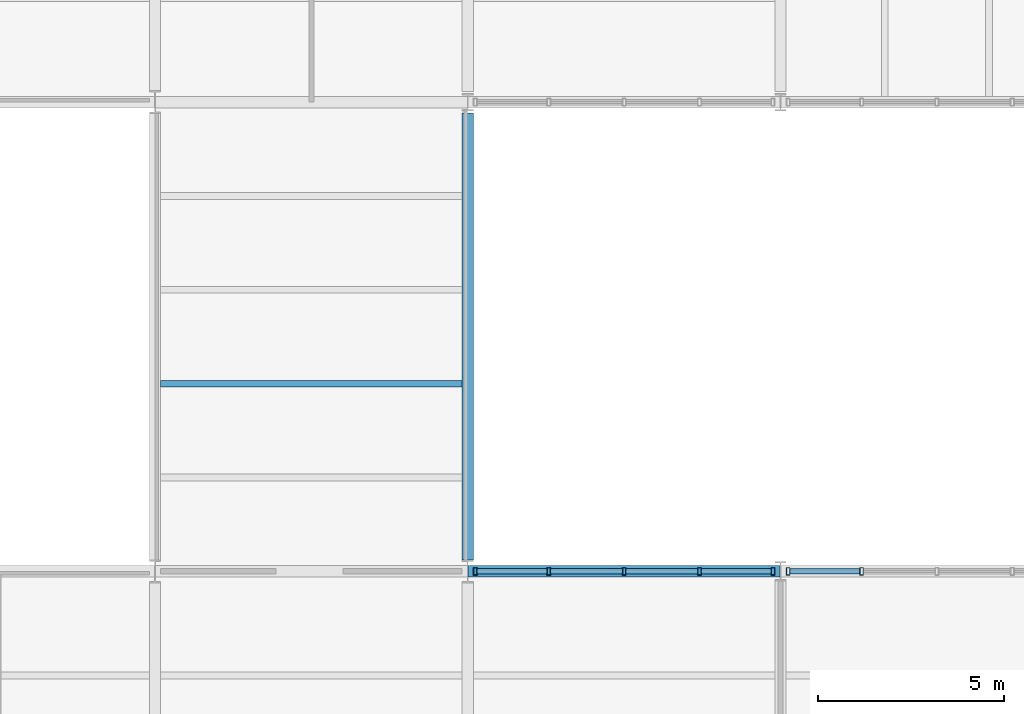
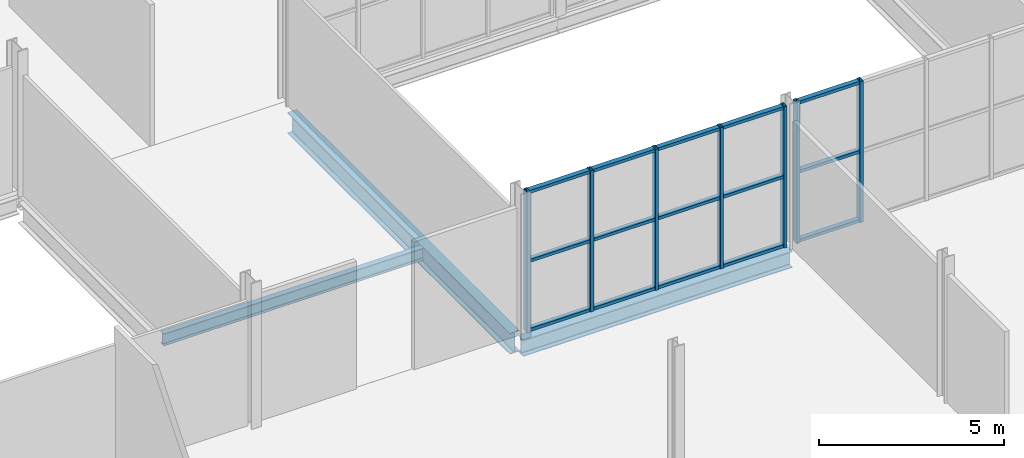
# One storey, part 18 of 52: 22 members, 3 beams, 2 elements without a shape of their own.
"""IFC4 building model written with IfcOpenShell, lengths in metres."""

from ifc_helpers import new_model, si_unit, direction, frame, origin, origin_2d, place, context, subcontext, project, spatial, hollow_rectangle, i_section, extrude, material, layer, layer_set, material_profile, profile_set, type_object, element, aggregate, save


model = new_model("IFC4")

# Units and contexts
model_context = context("Model", 3, precision=1e-05, world=origin(), true_north=direction((0.0, 1.0)))
body_context = subcontext(model_context, "Body", "Model", "MODEL_VIEW")
ifc_project = project(units=[si_unit("LENGTHUNIT", "METRE"), si_unit("AREAUNIT", "SQUARE_METRE"), si_unit("VOLUMEUNIT", "CUBIC_METRE"), si_unit("PLANEANGLEUNIT", "RADIAN"), si_unit("MASSUNIT", "GRAM", prefix="KILO")], contexts=[model_context])

# Site, building, storey
site_placement = place(None, origin())
site = spatial("IfcSite", under=ifc_project, at=site_placement, CompositionType="ELEMENT")
building_placement = place(site_placement, origin())
building = spatial("IfcBuilding", under=site, at=building_placement, Name="Galleria Vessillo Department Store", CompositionType="ELEMENT")
storey_placement = place(building_placement, frame((0.0, 0.0, 16.199951171875)))
storey = spatial("IfcBuildingStorey", under=building, at=storey_placement, Name="L03", CompositionType="ELEMENT", Elevation=16.199951171875)

# Beams
ifc_material_1 = material(Name="Steel S355 J2", Category="steel")
ifc_material_profile_1 = material_profile(ifc_material_1, i_section(OverallWidth=0.300048828125, OverallDepth=0.68994140625, WebThickness=0.014404296875, FlangeThickness=0.027099609375, FilletRadius=0.027099609375, at=origin_2d()), Name="HEA 700")
ifc_profile_set_1 = profile_set([ifc_material_profile_1], Name="Steel S355 J2")
beam_type_1 = type_object("IfcBeamType", Name="Bridge girder HEA 700", PredefinedType="BEAM", material=ifc_profile_set_1)
beam_1_placement = place(storey_placement, frame((84.0, 25.51025390625, -0.494873046875), z_axis=(0.0, 1.0, 0.0), x_axis=(-1.0, 0.0, 0.0)))
element("IfcBeam", 1, at=beam_1_placement, inside=storey, type_object=beam_type_1, Name="S-BM-L03-BR-y84000-25510", PredefinedType="BEAM", context=body_context, shape_type="SweptSolid", body=[
    extrude(i_section(OverallWidth=0.300048828125, OverallDepth=0.68994140625, WebThickness=0.014404296875, FlangeThickness=0.027099609375, FilletRadius=0.027099609375, at=origin_2d()), origin(), (0.0, 0.0, 1.0), 12.003662109375),
])
ifc_material_2 = material(Name="Steel S355 J2", Category="steel")
ifc_material_profile_2 = material_profile(ifc_material_2, i_section(OverallWidth=0.179931640625, OverallDepth=0.39990234375, WebThickness=0.008544921875, FlangeThickness=0.013427734375, FilletRadius=0.02099609375, at=origin_2d()), Name="IPE 400")
ifc_profile_set_2 = profile_set([ifc_material_profile_2], Name="Steel S355 J2")
beam_type_2 = type_object("IfcBeamType", Name="Floor joist IPE 400", PredefinedType="JOIST", material=ifc_profile_set_2)
beam_2_placement = place(storey_placement, frame((75.750244140625, 30.239990234375, -0.349853515625), z_axis=(1.0, 0.0, 0.0), x_axis=(0.0, 1.0, 0.0)))
element("IfcBeam", 2, at=beam_2_placement, inside=storey, type_object=beam_type_2, Name="S-BM-L03-JO-x30240-75750", PredefinedType="JOIST", context=body_context, shape_type="SweptSolid", body=[
    extrude(i_section(OverallWidth=0.179931640625, OverallDepth=0.39990234375, WebThickness=0.008544921875, FlangeThickness=0.013427734375, FilletRadius=0.02099609375, at=origin_2d()), origin(), (0.0, 0.0, 1.0), 8.099609375),
])

# Curtain wall, members
ifc_material_3 = material(Name="Steel and fire-resisting glass curtain wall", Category="steel")
ifc_layer = layer(ifc_material_3, 0.199951171875)
ifc_layer_set = layer_set([ifc_layer], Name="Steel and fire-resisting glass curtain wall")
curtain_wall_type = type_object("IfcCurtainWallType", Name="Arcade fire-resisting glazed shopfront EI 120-Sa", PredefinedType="NOTDEFINED", material=ifc_layer_set)
curtain_wall_1_placement = place(storey_placement, origin())
curtain_wall_1 = element("IfcCurtainWall", 3, at=curtain_wall_1_placement, inside=storey, type_object=curtain_wall_type, Name="Arcade fire-resisting glazed shopfront EI 120-Sa AI-AE-S-L03-01", PredefinedType="NOTDEFINED")
ifc_material_4 = material(Name="Steel S355 J2", Category="steel")
ifc_material_profile_3 = material_profile(ifc_material_4, hollow_rectangle(XDim=0.199951171875, YDim=0.10009765625, WallThickness=0.008056640625, at=origin_2d()), Name="RHS 200x100x8")
ifc_profile_set_3 = profile_set([ifc_material_profile_3], Name="Steel S355 J2")
member_type_1 = type_object("IfcMemberType", Name="Steel mullion RHS 200x100x8", PredefinedType="MULLION", material=ifc_profile_set_3)
member_1_placement = place(storey_placement, frame((84.20263671875, 25.199951171875, 0.0), z_axis=(0.0, 0.0, 1.0), x_axis=(0.0, 1.0, 0.0)))
member_1 = element("IfcMember", 4, at=member_1_placement, type_object=member_type_1, Name="CW7 mullion 1", PredefinedType="MULLION", context=body_context, shape_type="SweptSolid", body=[
    extrude(hollow_rectangle(XDim=0.199951171875, YDim=0.10009765625, WallThickness=0.008056640625, at=origin_2d()), origin(), (0.0, 0.0, 1.0), 4.650146484375),
])
member_2_placement = place(storey_placement, frame((86.17626953125, 25.199951171875, 0.0), z_axis=(0.0, 0.0, 1.0), x_axis=(0.0, 1.0, 0.0)))
member_2 = element("IfcMember", 5, at=member_2_placement, type_object=member_type_1, Name="CW7 mullion 2", PredefinedType="MULLION", context=body_context, shape_type="SweptSolid", body=[
    extrude(hollow_rectangle(XDim=0.199951171875, YDim=0.10009765625, WallThickness=0.008056640625, at=origin_2d()), origin(), (0.0, 0.0, 1.0), 4.650146484375),
])
member_3_placement = place(storey_placement, frame((88.19970703125, 25.199951171875, 0.0), z_axis=(0.0, 0.0, 1.0), x_axis=(0.0, 1.0, 0.0)))
member_3 = element("IfcMember", 6, at=member_3_placement, type_object=member_type_1, Name="CW7 mullion 3", PredefinedType="MULLION", context=body_context, shape_type="SweptSolid", body=[
    extrude(hollow_rectangle(XDim=0.199951171875, YDim=0.10009765625, WallThickness=0.008056640625, at=origin_2d()), origin(), (0.0, 0.0, 1.0), 4.650146484375),
])
member_4_placement = place(storey_placement, frame((90.223388671875, 25.199951171875, 0.0), z_axis=(0.0, 0.0, 1.0), x_axis=(0.0, 1.0, 0.0)))
member_4 = element("IfcMember", 7, at=member_4_placement, type_object=member_type_1, Name="CW7 mullion 4", PredefinedType="MULLION", context=body_context, shape_type="SweptSolid", body=[
    extrude(hollow_rectangle(XDim=0.199951171875, YDim=0.10009765625, WallThickness=0.008056640625, at=origin_2d()), origin(), (0.0, 0.0, 1.0), 4.650146484375),
])
member_5_placement = place(storey_placement, frame((92.19677734375, 25.199951171875, 0.0), z_axis=(0.0, 0.0, 1.0), x_axis=(0.0, 1.0, 0.0)))
member_5 = element("IfcMember", 8, at=member_5_placement, type_object=member_type_1, Name="CW7 mullion 5", PredefinedType="MULLION", context=body_context, shape_type="SweptSolid", body=[
    extrude(hollow_rectangle(XDim=0.199951171875, YDim=0.10009765625, WallThickness=0.008056640625, at=origin_2d()), origin(), (0.0, 0.0, 1.0), 4.650146484375),
])

curtain_wall_2_placement = place(storey_placement, origin())
curtain_wall_2 = element("IfcCurtainWall", 9, at=curtain_wall_2_placement, inside=storey, type_object=curtain_wall_type, Name="Arcade fire-resisting glazed shopfront EI 120-Sa AI-AE-S-L03-02", PredefinedType="NOTDEFINED")
member_6_placement = place(storey_placement, frame((92.60302734375, 25.199951171875, 0.0), z_axis=(0.0, 0.0, 1.0), x_axis=(0.0, 1.0, 0.0)))
member_6 = element("IfcMember", 10, at=member_6_placement, type_object=member_type_1, Name="CW7 mullion 1", PredefinedType="MULLION", context=body_context, shape_type="SweptSolid", body=[
    extrude(hollow_rectangle(XDim=0.199951171875, YDim=0.10009765625, WallThickness=0.008056640625, at=origin_2d()), origin(), (0.0, 0.0, 1.0), 4.650146484375),
])
member_7_placement = place(storey_placement, frame((94.57666015625, 25.199951171875, 0.0), z_axis=(0.0, 0.0, 1.0), x_axis=(0.0, 1.0, 0.0)))
member_7 = element("IfcMember", 11, at=member_7_placement, type_object=member_type_1, Name="CW7 mullion 2", PredefinedType="MULLION", context=body_context, shape_type="SweptSolid", body=[
    extrude(hollow_rectangle(XDim=0.199951171875, YDim=0.10009765625, WallThickness=0.008056640625, at=origin_2d()), origin(), (0.0, 0.0, 1.0), 4.650146484375),
])

# Member
ifc_material_5 = material(Name="Steel S355 J2", Category="steel")
ifc_material_profile_4 = material_profile(ifc_material_5, hollow_rectangle(XDim=0.14990234375, YDim=0.10009765625, WallThickness=0.008056640625, at=origin_2d()), Name="RHS 150x100x8")
ifc_profile_set_4 = profile_set([ifc_material_profile_4], Name="Steel S355 J2")
member_type_2 = type_object("IfcMemberType", Name="Steel transom RHS 150x100x8", PredefinedType="USERDEFINED", material=ifc_profile_set_4)
member_8_placement = place(storey_placement, frame((84.252685546875, 25.199951171875, 0.050048828125), z_axis=(1.0, 0.0, 0.0), x_axis=(0.0, 1.0, 0.0)))
member_8 = element("IfcMember", 12, at=member_8_placement, type_object=member_type_2, Name="CW7 transom 1.1", ObjectType="TRANSOM", PredefinedType="USERDEFINED", context=body_context, shape_type="SweptSolid", body=[
    extrude(hollow_rectangle(XDim=0.14990234375, YDim=0.10009765625, WallThickness=0.008056640625, at=origin_2d()), origin(), (0.0, 0.0, 1.0), 1.87353515625),
])

member_9_placement = place(storey_placement, frame((84.252685546875, 25.199951171875, 2.324951171875), z_axis=(1.0, 0.0, 0.0), x_axis=(0.0, 1.0, 0.0)))
member_9 = element("IfcMember", 13, at=member_9_placement, type_object=member_type_2, Name="CW7 transom 1.2", ObjectType="TRANSOM", PredefinedType="USERDEFINED", context=body_context, shape_type="SweptSolid", body=[
    extrude(hollow_rectangle(XDim=0.14990234375, YDim=0.10009765625, WallThickness=0.008056640625, at=origin_2d()), origin(), (0.0, 0.0, 1.0), 1.87353515625),
])

member_10_placement = place(storey_placement, frame((84.252685546875, 25.199951171875, 4.60009765625), z_axis=(1.0, 0.0, 0.0), x_axis=(0.0, 1.0, 0.0)))
member_10 = element("IfcMember", 14, at=member_10_placement, type_object=member_type_2, Name="CW7 transom 1.3", ObjectType="TRANSOM", PredefinedType="USERDEFINED", context=body_context, shape_type="SweptSolid", body=[
    extrude(hollow_rectangle(XDim=0.14990234375, YDim=0.10009765625, WallThickness=0.008056640625, at=origin_2d()), origin(), (0.0, 0.0, 1.0), 1.87353515625),
])

member_11_placement = place(storey_placement, frame((86.22607421875, 25.199951171875, 0.050048828125), z_axis=(1.0, 0.0, 0.0), x_axis=(0.0, 1.0, 0.0)))
member_11 = element("IfcMember", 15, at=member_11_placement, type_object=member_type_2, Name="CW7 transom 2.1", ObjectType="TRANSOM", PredefinedType="USERDEFINED", context=body_context, shape_type="SweptSolid", body=[
    extrude(hollow_rectangle(XDim=0.14990234375, YDim=0.10009765625, WallThickness=0.008056640625, at=origin_2d()), origin(), (0.0, 0.0, 1.0), 1.923583984375),
])

member_12_placement = place(storey_placement, frame((86.22607421875, 25.199951171875, 2.324951171875), z_axis=(1.0, 0.0, 0.0), x_axis=(0.0, 1.0, 0.0)))
member_12 = element("IfcMember", 16, at=member_12_placement, type_object=member_type_2, Name="CW7 transom 2.2", ObjectType="TRANSOM", PredefinedType="USERDEFINED", context=body_context, shape_type="SweptSolid", body=[
    extrude(hollow_rectangle(XDim=0.14990234375, YDim=0.10009765625, WallThickness=0.008056640625, at=origin_2d()), origin(), (0.0, 0.0, 1.0), 1.923583984375),
])

member_13_placement = place(storey_placement, frame((86.22607421875, 25.199951171875, 4.60009765625), z_axis=(1.0, 0.0, 0.0), x_axis=(0.0, 1.0, 0.0)))
member_13 = element("IfcMember", 17, at=member_13_placement, type_object=member_type_2, Name="CW7 transom 2.3", ObjectType="TRANSOM", PredefinedType="USERDEFINED", context=body_context, shape_type="SweptSolid", body=[
    extrude(hollow_rectangle(XDim=0.14990234375, YDim=0.10009765625, WallThickness=0.008056640625, at=origin_2d()), origin(), (0.0, 0.0, 1.0), 1.923583984375),
])

member_14_placement = place(storey_placement, frame((88.249755859375, 25.199951171875, 0.050048828125), z_axis=(1.0, 0.0, 0.0), x_axis=(0.0, 1.0, 0.0)))
member_14 = element("IfcMember", 18, at=member_14_placement, type_object=member_type_2, Name="CW7 transom 3.1", ObjectType="TRANSOM", PredefinedType="USERDEFINED", context=body_context, shape_type="SweptSolid", body=[
    extrude(hollow_rectangle(XDim=0.14990234375, YDim=0.10009765625, WallThickness=0.008056640625, at=origin_2d()), origin(), (0.0, 0.0, 1.0), 1.923583984375),
])

member_15_placement = place(storey_placement, frame((88.249755859375, 25.199951171875, 2.324951171875), z_axis=(1.0, 0.0, 0.0), x_axis=(0.0, 1.0, 0.0)))
member_15 = element("IfcMember", 19, at=member_15_placement, type_object=member_type_2, Name="CW7 transom 3.2", ObjectType="TRANSOM", PredefinedType="USERDEFINED", context=body_context, shape_type="SweptSolid", body=[
    extrude(hollow_rectangle(XDim=0.14990234375, YDim=0.10009765625, WallThickness=0.008056640625, at=origin_2d()), origin(), (0.0, 0.0, 1.0), 1.923583984375),
])

member_16_placement = place(storey_placement, frame((88.249755859375, 25.199951171875, 4.60009765625), z_axis=(1.0, 0.0, 0.0), x_axis=(0.0, 1.0, 0.0)))
member_16 = element("IfcMember", 20, at=member_16_placement, type_object=member_type_2, Name="CW7 transom 3.3", ObjectType="TRANSOM", PredefinedType="USERDEFINED", context=body_context, shape_type="SweptSolid", body=[
    extrude(hollow_rectangle(XDim=0.14990234375, YDim=0.10009765625, WallThickness=0.008056640625, at=origin_2d()), origin(), (0.0, 0.0, 1.0), 1.923583984375),
])

member_17_placement = place(storey_placement, frame((90.273193359375, 25.199951171875, 0.050048828125), z_axis=(1.0, 0.0, 0.0), x_axis=(0.0, 1.0, 0.0)))
member_17 = element("IfcMember", 21, at=member_17_placement, type_object=member_type_2, Name="CW7 transom 4.1", ObjectType="TRANSOM", PredefinedType="USERDEFINED", context=body_context, shape_type="SweptSolid", body=[
    extrude(hollow_rectangle(XDim=0.14990234375, YDim=0.10009765625, WallThickness=0.008056640625, at=origin_2d()), origin(), (0.0, 0.0, 1.0), 1.87353515625),
])

member_18_placement = place(storey_placement, frame((90.273193359375, 25.199951171875, 2.324951171875), z_axis=(1.0, 0.0, 0.0), x_axis=(0.0, 1.0, 0.0)))
member_18 = element("IfcMember", 22, at=member_18_placement, type_object=member_type_2, Name="CW7 transom 4.2", ObjectType="TRANSOM", PredefinedType="USERDEFINED", context=body_context, shape_type="SweptSolid", body=[
    extrude(hollow_rectangle(XDim=0.14990234375, YDim=0.10009765625, WallThickness=0.008056640625, at=origin_2d()), origin(), (0.0, 0.0, 1.0), 1.87353515625),
])

member_19_placement = place(storey_placement, frame((90.273193359375, 25.199951171875, 4.60009765625), z_axis=(1.0, 0.0, 0.0), x_axis=(0.0, 1.0, 0.0)))
member_19 = element("IfcMember", 23, at=member_19_placement, type_object=member_type_2, Name="CW7 transom 4.3", ObjectType="TRANSOM", PredefinedType="USERDEFINED", context=body_context, shape_type="SweptSolid", body=[
    extrude(hollow_rectangle(XDim=0.14990234375, YDim=0.10009765625, WallThickness=0.008056640625, at=origin_2d()), origin(), (0.0, 0.0, 1.0), 1.87353515625),
])

aggregate(curtain_wall_1, [member_1, member_2, member_3, member_4, member_5, member_8, member_9, member_10, member_11, member_12, member_13, member_14, member_15, member_16, member_17, member_18, member_19])

member_20_placement = place(storey_placement, frame((92.653076171875, 25.199951171875, 0.050048828125), z_axis=(1.0, 0.0, 0.0), x_axis=(0.0, 1.0, 0.0)))
member_20 = element("IfcMember", 24, at=member_20_placement, type_object=member_type_2, Name="CW7 transom 1.1", ObjectType="TRANSOM", PredefinedType="USERDEFINED", context=body_context, shape_type="SweptSolid", body=[
    extrude(hollow_rectangle(XDim=0.14990234375, YDim=0.10009765625, WallThickness=0.008056640625, at=origin_2d()), origin(), (0.0, 0.0, 1.0), 1.87353515625),
])

member_21_placement = place(storey_placement, frame((92.653076171875, 25.199951171875, 2.324951171875), z_axis=(1.0, 0.0, 0.0), x_axis=(0.0, 1.0, 0.0)))
member_21 = element("IfcMember", 25, at=member_21_placement, type_object=member_type_2, Name="CW7 transom 1.2", ObjectType="TRANSOM", PredefinedType="USERDEFINED", context=body_context, shape_type="SweptSolid", body=[
    extrude(hollow_rectangle(XDim=0.14990234375, YDim=0.10009765625, WallThickness=0.008056640625, at=origin_2d()), origin(), (0.0, 0.0, 1.0), 1.87353515625),
])

member_22_placement = place(storey_placement, frame((92.653076171875, 25.199951171875, 4.60009765625), z_axis=(1.0, 0.0, 0.0), x_axis=(0.0, 1.0, 0.0)))
member_22 = element("IfcMember", 26, at=member_22_placement, type_object=member_type_2, Name="CW7 transom 1.3", ObjectType="TRANSOM", PredefinedType="USERDEFINED", context=body_context, shape_type="SweptSolid", body=[
    extrude(hollow_rectangle(XDim=0.14990234375, YDim=0.10009765625, WallThickness=0.008056640625, at=origin_2d()), origin(), (0.0, 0.0, 1.0), 1.87353515625),
])

aggregate(curtain_wall_2, [member_6, member_7, member_20, member_21, member_22])

# Beam
ifc_material_6 = material(Name="Steel S355 J2", Category="steel")
ifc_material_profile_5 = material_profile(ifc_material_6, i_section(OverallWidth=0.300048828125, OverallDepth=0.5400390625, WebThickness=0.012451171875, FlangeThickness=0.02392578125, FilletRadius=0.027099609375, at=origin_2d()), Name="HEA 550")
ifc_profile_set_5 = profile_set([ifc_material_profile_5], Name="Steel S355 J2")
beam_type_3 = type_object("IfcBeamType", Name="Trimmer beam HEA 550", PredefinedType="BEAM", material=ifc_profile_set_5)
beam_3_placement = place(storey_placement, frame((84.0107421875, 25.199951171875, -0.419921875), z_axis=(1.0, 0.0, 0.0), x_axis=(0.0, 1.0, 0.0)))
element("IfcBeam", 27, at=beam_3_placement, inside=storey, type_object=beam_type_3, Name="S-BM-L03-TR-x25200-84011", PredefinedType="BEAM", context=body_context, shape_type="SweptSolid", body=[
    extrude(i_section(OverallWidth=0.300048828125, OverallDepth=0.5400390625, WebThickness=0.012451171875, FlangeThickness=0.02392578125, FilletRadius=0.027099609375, at=origin_2d()), origin(), (0.0, 0.0, 1.0), 8.378662109375),
])

save(model, "model.ifc")
